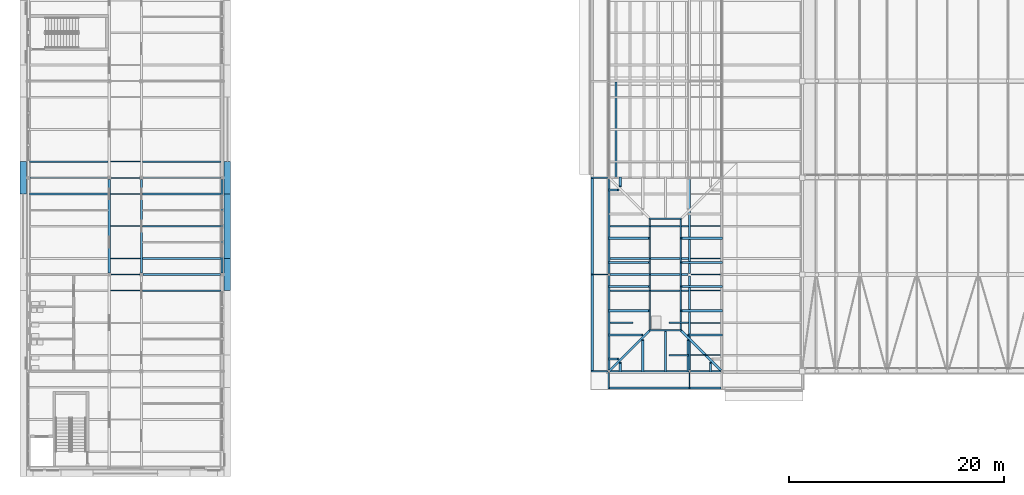
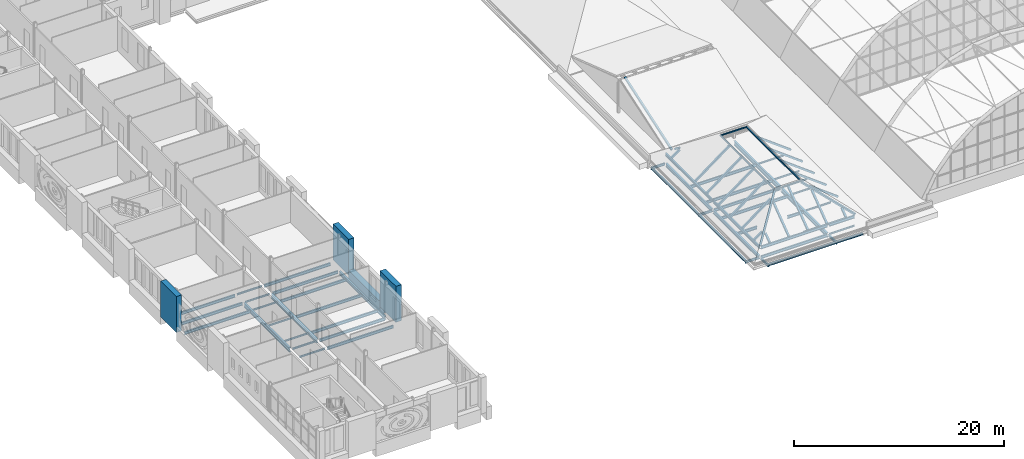
# One storey, part 17 of 121: 53 beams, 28 members.
"""IFC4 building model written with IfcOpenShell, lengths in metres."""

from ifc_helpers import new_model, si_unit, direction, frame, origin, origin_2d, place, context, subcontext, project, spatial, rectangle, hollow_rectangle, i_section, extrude, material, material_profile, profile_set, type_object, element, save


model = new_model("IFC4")

# Units and contexts
model_context = context("Model", 3, precision=1e-05, world=origin(), true_north=direction((0.0, 1.0)))
body_context = subcontext(model_context, "Body", "Model", "MODEL_VIEW")
ifc_project = project(units=[si_unit("LENGTHUNIT", "METRE"), si_unit("AREAUNIT", "SQUARE_METRE"), si_unit("VOLUMEUNIT", "CUBIC_METRE"), si_unit("PLANEANGLEUNIT", "RADIAN"), si_unit("MASSUNIT", "GRAM", prefix="KILO")], contexts=[model_context])

# Site, building, storey
site_placement = place(None, origin())
site = spatial("IfcSite", under=ifc_project, at=site_placement, CompositionType="ELEMENT")
building_placement = place(site_placement, origin())
building = spatial("IfcBuilding", under=site, at=building_placement, Name="Golden Quay Civic Hall", CompositionType="ELEMENT")
storey_placement = place(building_placement, frame((0.0, 0.0, 18.60009765625)))
storey = spatial("IfcBuildingStorey", under=building, at=storey_placement, Name="L04", CompositionType="ELEMENT", Elevation=18.60009765625)

# Beams
ifc_material_1 = material(Name="Steel S355", Category="steel")
ifc_material_profile_1 = material_profile(ifc_material_1, i_section(OverallWidth=0.199951171875, OverallDepth=0.18994140625, WebThickness=0.006591796875, FlangeThickness=0.010009765625, FilletRadius=0.01806640625, at=origin_2d()), Name="HEA 200")
ifc_profile_set_1 = profile_set([ifc_material_profile_1], Name="Steel S355")
beam_type_1 = type_object("IfcBeamType", Name="Eave edge beam HEA 200", PredefinedType="BEAM", material=ifc_profile_set_1)
for number, where, z_axis, x_axis, name in (
    (1, (52.449951171875, 0.0673828125, -0.34521484375), (0.0, 1.0, 0.0), (-1.0, 0.0, 0.0), "Eave edge beam HEA 200 L04 1"),
    (2, (52.449951171875, 9.0673828125, -0.34521484375), (0.0, 1.0, 0.0), (-1.0, 0.0, 0.0), "Eave edge beam HEA 200 L04 2"),
):
    element("IfcBeam", number, at=place(storey_placement, frame(where, z_axis=z_axis, x_axis=x_axis)), inside=storey, type_object=beam_type_1, Name=name, PredefinedType="BEAM", context=body_context, shape_type="SweptSolid", body=[
        extrude(i_section(OverallWidth=0.199951171875, OverallDepth=0.18994140625, WebThickness=0.006591796875, FlangeThickness=0.010009765625, FilletRadius=0.01806640625, at=origin_2d()), origin(), (0.0, 0.0, 1.0), 8.865234375),
    ])
beam_1_placement = place(storey_placement, frame((54.0673828125, -1.550048828125, -0.34521484375), z_axis=(1.0, 0.0, 0.0), x_axis=(0.0, 1.0, 0.0)))
element("IfcBeam", 3, at=beam_1_placement, inside=storey, type_object=beam_type_1, Name="Eave edge beam HEA 200 L04 10", PredefinedType="BEAM", context=body_context, shape_type="SweptSolid", body=[
    extrude(i_section(OverallWidth=0.199951171875, OverallDepth=0.18994140625, WebThickness=0.006591796875, FlangeThickness=0.010009765625, FilletRadius=0.01806640625, at=origin_2d()), origin(), (0.0, 0.0, 1.0), 7.365234375),
])
beam_2_placement = place(storey_placement, frame((61.5673828125, -1.550048828125, -0.34521484375), z_axis=(1.0, 0.0, 0.0), x_axis=(0.0, 1.0, 0.0)))
element("IfcBeam", 4, at=beam_2_placement, inside=storey, type_object=beam_type_1, Name="Eave edge beam HEA 200 L04 11", PredefinedType="BEAM", context=body_context, shape_type="SweptSolid", body=[
    extrude(i_section(OverallWidth=0.199951171875, OverallDepth=0.18994140625, WebThickness=0.006591796875, FlangeThickness=0.010009765625, FilletRadius=0.01806640625, at=origin_2d()), origin(), (0.0, 0.0, 1.0), 2.865234375),
])
ifc_material_2 = material(Name="Steel S355", Category="steel")
ifc_material_profile_2 = material_profile(ifc_material_2, i_section(OverallWidth=0.135009765625, OverallDepth=0.27001953125, WebThickness=0.006591796875, FlangeThickness=0.01025390625, FilletRadius=0.014892578125, at=origin_2d()), Name="IPE 270")
ifc_profile_set_2 = profile_set([ifc_material_profile_2], Name="Steel S355")
beam_type_2 = type_object("IfcBeamType", Name="Eave stub IPE 270", PredefinedType="BEAM", material=ifc_profile_set_2)
for number, where, z_axis, x_axis, name in (
    (5, (53.89990234375, 0.0, -0.385009765625), (-1.0, 0.0, 0.0), (0.0, -1.0, 0.0), "Eave stub IPE 270 L04 1"),
    (6, (53.89990234375, 9.0, -0.385009765625), (-1.0, 0.0, 0.0), (0.0, -1.0, 0.0), "Eave stub IPE 270 L04 2"),
    (7, (53.89990234375, 18.0, -0.385009765625), (-1.0, 0.0, 0.0), (0.0, -1.0, 0.0), "Eave stub IPE 270 L04 3"),
):
    element("IfcBeam", number, at=place(storey_placement, frame(where, z_axis=z_axis, x_axis=x_axis)), inside=storey, type_object=beam_type_2, Name=name, PredefinedType="BEAM", context=body_context, shape_type="SweptSolid", body=[
        extrude(i_section(OverallWidth=0.135009765625, OverallDepth=0.27001953125, WebThickness=0.006591796875, FlangeThickness=0.01025390625, FilletRadius=0.014892578125, at=origin_2d()), origin(), (0.0, 0.0, 1.0), 1.5498046875),
    ])
for number, where, z_axis, x_axis, name in (
    (8, (54.0, -0.094970703125, -0.385009765625), (0.0, -1.0, 0.0), (1.0, 0.0, 0.0), "Eave stub IPE 270 L04 12"),
    (9, (61.5, -0.094970703125, -0.385009765625), (0.0, -1.0, 0.0), (1.0, 0.0, 0.0), "Eave stub IPE 270 L04 13"),
):
    element("IfcBeam", number, at=place(storey_placement, frame(where, z_axis=z_axis, x_axis=x_axis)), inside=storey, type_object=beam_type_2, Name=name, PredefinedType="BEAM", context=body_context, shape_type="SweptSolid", body=[
        extrude(i_section(OverallWidth=0.135009765625, OverallDepth=0.27001953125, WebThickness=0.006591796875, FlangeThickness=0.01025390625, FilletRadius=0.014892578125, at=origin_2d()), origin(), (0.0, 0.0, 1.0), 1.554931640625),
    ])

# Members
ifc_material_3 = material(Name="Concrete C40/50", Category="concrete")
ifc_material_profile_3 = material_profile(ifc_material_3, rectangle(XDim=3.0, YDim=0.60009765625, at=origin_2d()), Name="RC 3000x600")
ifc_profile_set_3 = profile_set([ifc_material_profile_3], Name="Concrete C40/50")
member_type_1 = type_object("IfcMemberType", Name="Precast concrete facade pier 3000 x 600", PredefinedType="POST", material=ifc_profile_set_3)
for number, where, z_axis, x_axis, name in (
    (10, (-0.5, 18.0, 0.0), (0.0, 0.0, 1.0), (0.0, 1.0, 0.0), "Precast concrete facade pier 3000 x 600 L04 2"),
    (11, (18.5, 9.0, 0.0), (0.0, 0.0, 1.0), (0.0, 1.0, 0.0), "Precast concrete facade pier 3000 x 600 L04 12"),
    (12, (18.5, 18.0, 0.0), (0.0, 0.0, 1.0), (0.0, 1.0, 0.0), "Precast concrete facade pier 3000 x 600 L04 13"),
):
    element("IfcMember", number, at=place(storey_placement, frame(where, z_axis=z_axis, x_axis=x_axis)), inside=storey, type_object=member_type_1, Name=name, PredefinedType="POST", context=body_context, shape_type="SweptSolid", body=[
        extrude(rectangle(XDim=3.0, YDim=0.60009765625, at=origin_2d()), origin(), (0.0, 0.0, 1.0), 4.199951171875),
    ])

# Beams
ifc_material_4 = material(Name="Concrete C40/50", Category="concrete")
ifc_material_profile_4 = material_profile(ifc_material_4, rectangle(XDim=0.60009765625, YDim=1.5, at=origin_2d()), Name="RC 600x1500")
ifc_profile_set_4 = profile_set([ifc_material_profile_4], Name="Concrete C40/50")
beam_type_3 = type_object("IfcBeamType", Name="Precast concrete spandrel beam 600 x 1500", PredefinedType="SPANDREL", material=ifc_profile_set_4)
beam_3_placement = place(storey_placement, frame((18.5, 10.5, -0.150146484375), z_axis=(0.0, 1.0, 0.0), x_axis=(-1.0, 0.0, 0.0)))
element("IfcBeam", 13, at=beam_3_placement, inside=storey, type_object=beam_type_3, Name="Precast concrete spandrel beam 600 x 1500 L04 18", PredefinedType="SPANDREL", context=body_context, shape_type="SweptSolid", body=[
    extrude(rectangle(XDim=0.60009765625, YDim=1.5, at=origin_2d()), origin(), (0.0, 0.0, 1.0), 6.0),
])
ifc_material_5 = material(Name="Steel S355", Category="steel")
ifc_material_profile_5 = material_profile(ifc_material_5, i_section(OverallWidth=0.10009765625, OverallDepth=0.199951171875, WebThickness=0.005615234375, FlangeThickness=0.008544921875, FilletRadius=0.011962890625, at=origin_2d()), Name="IPE 200")
ifc_profile_set_5 = profile_set([ifc_material_profile_5], Name="Steel S355")
beam_type_4 = type_object("IfcBeamType", Name="Steel beam IPE 200", PredefinedType="BEAM", material=ifc_profile_set_5)
for number, where, z_axis, x_axis, name in (
    (14, (7.64990234375, 9.0, -0.300048828125), (1.0, 0.0, 0.0), (0.0, 1.0, 0.0), "Beam S9-7.5"),
    (15, (7.64990234375, 18.0, -0.300048828125), (1.0, 0.0, 0.0), (0.0, 1.0, 0.0), "Beam S18-7.5"),
):
    element("IfcBeam", number, at=place(storey_placement, frame(where, z_axis=z_axis, x_axis=x_axis)), inside=storey, type_object=beam_type_4, Name=name, PredefinedType="BEAM", context=body_context, shape_type="SweptSolid", body=[
        extrude(i_section(OverallWidth=0.10009765625, OverallDepth=0.199951171875, WebThickness=0.005615234375, FlangeThickness=0.008544921875, FilletRadius=0.011962890625, at=origin_2d()), origin(), (0.0, 0.0, 1.0), 2.7001953125),
    ])
beam_4_placement = place(storey_placement, frame((61.60009765625, 0.0, -0.35009765625), z_axis=(1.0, 0.0, 0.0), x_axis=(0.0, 1.0, 0.0)))
element("IfcBeam", 16, at=beam_4_placement, inside=storey, type_object=beam_type_4, Name="Beam S0-61.5", PredefinedType="BEAM", context=body_context, shape_type="SweptSolid", body=[
    extrude(i_section(OverallWidth=0.10009765625, OverallDepth=0.199951171875, WebThickness=0.005615234375, FlangeThickness=0.008544921875, FilletRadius=0.011962890625, at=origin_2d()), origin(), (0.0, 0.0, 1.0), 2.7998046875),
])
beam_5_placement = place(storey_placement, frame((61.6201171875, 9.0, -0.35009765625), z_axis=(1.0, 0.0, 0.0), x_axis=(0.0, 1.0, 0.0)))
element("IfcBeam", 17, at=beam_5_placement, inside=storey, type_object=beam_type_4, Name="Beam S9-61.5", PredefinedType="BEAM", context=body_context, shape_type="SweptSolid", body=[
    extrude(i_section(OverallWidth=0.10009765625, OverallDepth=0.199951171875, WebThickness=0.005615234375, FlangeThickness=0.008544921875, FilletRadius=0.011962890625, at=origin_2d()), origin(), (0.0, 0.0, 1.0), 2.759765625),
])
ifc_material_6 = material(Name="Steel S355", Category="steel")
ifc_material_profile_6 = material_profile(ifc_material_6, i_section(OverallWidth=0.159912109375, OverallDepth=0.330078125, WebThickness=0.007568359375, FlangeThickness=0.011474609375, FilletRadius=0.01806640625, at=origin_2d()), Name="IPE 330")
ifc_profile_set_6 = profile_set([ifc_material_profile_6], Name="Steel S355")
beam_type_5 = type_object("IfcBeamType", Name="Steel beam IPE 330", PredefinedType="BEAM", material=ifc_profile_set_6)
for number, where, z_axis, x_axis, name in (
    (18, (10.64990234375, 9.0, -0.364990234375), (1.0, 0.0, 0.0), (0.0, 1.0, 0.0), "Beam S9-10.5"),
    (19, (0.139892578125, 18.0, -0.364990234375), (1.0, 0.0, 0.0), (0.0, 1.0, 0.0), "Beam S18-0"),
    (20, (10.64990234375, 18.0, -0.364990234375), (1.0, 0.0, 0.0), (0.0, 1.0, 0.0), "Beam S18-10.5"),
):
    element("IfcBeam", number, at=place(storey_placement, frame(where, z_axis=z_axis, x_axis=x_axis)), inside=storey, type_object=beam_type_5, Name=name, PredefinedType="BEAM", context=body_context, shape_type="SweptSolid", body=[
        extrude(i_section(OverallWidth=0.159912109375, OverallDepth=0.330078125, WebThickness=0.007568359375, FlangeThickness=0.011474609375, FilletRadius=0.01806640625, at=origin_2d()), origin(), (0.0, 0.0, 1.0), 7.210205078125),
    ])
beam_6_placement = place(storey_placement, frame((54.10009765625, 0.0, -0.4150390625), z_axis=(1.0, 0.0, 0.0), x_axis=(0.0, 1.0, 0.0)))
element("IfcBeam", 21, at=beam_6_placement, inside=storey, type_object=beam_type_5, Name="Beam S0-54", PredefinedType="BEAM", context=body_context, shape_type="SweptSolid", body=[
    extrude(i_section(OverallWidth=0.159912109375, OverallDepth=0.330078125, WebThickness=0.007568359375, FlangeThickness=0.011474609375, FilletRadius=0.01806640625, at=origin_2d()), origin(), (0.0, 0.0, 1.0), 7.2998046875),
])
beam_7_placement = place(storey_placement, frame((54.10009765625, 9.0, -0.4150390625), z_axis=(1.0, 0.0, 0.0), x_axis=(0.0, 1.0, 0.0)))
element("IfcBeam", 22, at=beam_7_placement, inside=storey, type_object=beam_type_5, Name="Beam S9-54", PredefinedType="BEAM", context=body_context, shape_type="SweptSolid", body=[
    extrude(i_section(OverallWidth=0.159912109375, OverallDepth=0.330078125, WebThickness=0.007568359375, FlangeThickness=0.011474609375, FilletRadius=0.01806640625, at=origin_2d()), origin(), (0.0, 0.0, 1.0), 7.27978515625),
])
ifc_material_7 = material(Name="Steel S355", Category="steel")
ifc_material_profile_7 = material_profile(ifc_material_7, i_section(OverallWidth=0.179931640625, OverallDepth=0.39990234375, WebThickness=0.008544921875, FlangeThickness=0.013427734375, FilletRadius=0.02099609375, at=origin_2d()), Name="IPE 400")
ifc_profile_set_7 = profile_set([ifc_material_profile_7], Name="Steel S355")
beam_type_6 = type_object("IfcBeamType", Name="Steel beam IPE 400", PredefinedType="BEAM", material=ifc_profile_set_7)
beam_8_placement = place(storey_placement, frame((18.0, 9.135009765625, -0.400146484375), z_axis=(0.0, 1.0, 0.0), x_axis=(-1.0, 0.0, 0.0)))
element("IfcBeam", 23, at=beam_8_placement, inside=storey, type_object=beam_type_6, Name="Beam L18-9", PredefinedType="BEAM", context=body_context, shape_type="SweptSolid", body=[
    extrude(i_section(OverallWidth=0.179931640625, OverallDepth=0.39990234375, WebThickness=0.008544921875, FlangeThickness=0.013427734375, FilletRadius=0.02099609375, at=origin_2d()), origin(), (0.0, 0.0, 1.0), 8.72998046875),
])
for number, where, z_axis, x_axis, name in (
    (24, (54.0, 0.094970703125, -0.4501953125), (0.0, 1.0, 0.0), (-1.0, 0.0, 0.0), "Beam L54-0"),
    (25, (54.0, 9.094970703125, -0.4501953125), (0.0, 1.0, 0.0), (-1.0, 0.0, 0.0), "Beam L54-9"),
):
    element("IfcBeam", number, at=place(storey_placement, frame(where, z_axis=z_axis, x_axis=x_axis)), inside=storey, type_object=beam_type_6, Name=name, PredefinedType="BEAM", context=body_context, shape_type="SweptSolid", body=[
        extrude(i_section(OverallWidth=0.179931640625, OverallDepth=0.39990234375, WebThickness=0.008544921875, FlangeThickness=0.013427734375, FilletRadius=0.02099609375, at=origin_2d()), origin(), (0.0, 0.0, 1.0), 8.81005859375),
    ])
ifc_material_8 = material(Name="Steel S355", Category="steel")
ifc_material_profile_8 = material_profile(ifc_material_8, i_section(OverallWidth=0.199951171875, OverallDepth=0.5, WebThickness=0.01025390625, FlangeThickness=0.01611328125, FilletRadius=0.02099609375, at=origin_2d()), Name="IPE 500")
ifc_profile_set_8 = profile_set([ifc_material_profile_8], Name="Steel S355")
beam_type_7 = type_object("IfcBeamType", Name="Steel beam IPE 500", PredefinedType="BEAM", material=ifc_profile_set_8)
for number, where, z_axis, x_axis, name in (
    (26, (7.5, 9.14501953125, -0.4501953125), (0.0, 1.0, 0.0), (-1.0, 0.0, 0.0), "Beam L7.5-9"),
    (27, (10.5, 9.14501953125, -0.4501953125), (0.0, 1.0, 0.0), (-1.0, 0.0, 0.0), "Beam L10.5-9"),
):
    element("IfcBeam", number, at=place(storey_placement, frame(where, z_axis=z_axis, x_axis=x_axis)), inside=storey, type_object=beam_type_7, Name=name, PredefinedType="BEAM", context=body_context, shape_type="SweptSolid", body=[
        extrude(i_section(OverallWidth=0.199951171875, OverallDepth=0.5, WebThickness=0.01025390625, FlangeThickness=0.01611328125, FilletRadius=0.02099609375, at=origin_2d()), origin(), (0.0, 0.0, 1.0), 8.7099609375),
    ])
beam_9_placement = place(storey_placement, frame((61.5, 0.094970703125, -0.5), z_axis=(0.0, 1.0, 0.0), x_axis=(-1.0, 0.0, 0.0)))
element("IfcBeam", 28, at=beam_9_placement, inside=storey, type_object=beam_type_7, Name="Beam L61.5-0", PredefinedType="BEAM", context=body_context, shape_type="SweptSolid", body=[
    extrude(i_section(OverallWidth=0.199951171875, OverallDepth=0.5, WebThickness=0.01025390625, FlangeThickness=0.01611328125, FilletRadius=0.02099609375, at=origin_2d()), origin(), (0.0, 0.0, 1.0), 8.7900390625),
])
beam_10_placement = place(storey_placement, frame((61.5, 9.114990234375, -0.5), z_axis=(0.0, 1.0, 0.0), x_axis=(-1.0, 0.0, 0.0)))
element("IfcBeam", 29, at=beam_10_placement, inside=storey, type_object=beam_type_7, Name="Beam L61.5-9", PredefinedType="BEAM", context=body_context, shape_type="SweptSolid", body=[
    extrude(i_section(OverallWidth=0.199951171875, OverallDepth=0.5, WebThickness=0.01025390625, FlangeThickness=0.01611328125, FilletRadius=0.02099609375, at=origin_2d()), origin(), (0.0, 0.0, 1.0), 8.77001953125),
])

# Members
ifc_material_9 = material(Name="Steel S355", Category="steel")
ifc_material_profile_9 = material_profile(ifc_material_9, hollow_rectangle(XDim=0.199951171875, YDim=0.199951171875, WallThickness=0.010009765625, at=origin_2d()), Name="SHS 200x200x10")
ifc_profile_set_9 = profile_set([ifc_material_profile_9], Name="Steel S355")
member_type_2 = type_object("IfcMemberType", Name="Steel jack rafter SHS 200x200x10", PredefinedType="RAFTER", material=ifc_profile_set_9)
member_1_placement = place(storey_placement, frame((55.050048828125, 0.0, 0.96484375), z_axis=(0.0, 0.799970705032, 0.600039057971), x_axis=(-1.0, 0.0, 0.0)))
element("IfcMember", 30, at=member_1_placement, inside=storey, type_object=member_type_2, Name="Jack rafter WM-S south 1", PredefinedType="RAFTER", context=body_context, shape_type="SweptSolid", body=[
    extrude(hollow_rectangle(XDim=0.199951171875, YDim=0.199951171875, WallThickness=0.010009765625, at=origin_2d()), origin(), (0.0, 0.0, 1.0), 1.0),
])
member_2_placement = place(storey_placement, frame((57.14990234375, 0.0, 0.96484375), z_axis=(0.0, 0.799983835699, 0.600021551797), x_axis=(-1.0, 0.0, 0.0)))
element("IfcMember", 31, at=member_2_placement, inside=storey, type_object=member_type_2, Name="Jack rafter WM-S south 2", PredefinedType="RAFTER", context=body_context, shape_type="SweptSolid", body=[
    extrude(hollow_rectangle(XDim=0.199951171875, YDim=0.199951171875, WallThickness=0.010009765625, at=origin_2d()), origin(), (0.0, 0.0, 1.0), 3.625),
])
member_3_placement = place(storey_placement, frame((59.25, 0.0, 0.96484375), z_axis=(0.0, 0.8, 0.6), x_axis=(-1.0, 0.0, 0.0)))
element("IfcMember", 32, at=member_3_placement, inside=storey, type_object=member_type_2, Name="Jack rafter WM-S south 3", PredefinedType="RAFTER", context=body_context, shape_type="SweptSolid", body=[
    extrude(hollow_rectangle(XDim=0.199951171875, YDim=0.199951171875, WallThickness=0.010009765625, at=origin_2d()), origin(), (0.0, 0.0, 1.0), 4.6875),
])
member_4_placement = place(storey_placement, frame((61.35009765625, 0.0, 0.96484375), z_axis=(0.0, 0.799983835699, 0.600021551797), x_axis=(-1.0, 0.0, 0.0)))
element("IfcMember", 33, at=member_4_placement, inside=storey, type_object=member_type_2, Name="Jack rafter WM-S south 4", PredefinedType="RAFTER", context=body_context, shape_type="SweptSolid", body=[
    extrude(hollow_rectangle(XDim=0.199951171875, YDim=0.199951171875, WallThickness=0.010009765625, at=origin_2d()), origin(), (0.0, 0.0, 1.0), 3.625),
])
for number, where, z_axis, x_axis, name in (
    (34, (63.449951171875, 0.0, 0.96484375), (0.0, 0.799970705032, 0.600039057971), (-1.0, 0.0, 0.0), "Jack rafter WM-S south 5"),
    (35, (55.050048828125, 18.0, 0.96484375), (0.0, -0.799970705032, 0.600039057971), (1.0, 0.0, 0.0), "Jack rafter WM-S north 1"),
):
    element("IfcMember", number, at=place(storey_placement, frame(where, z_axis=z_axis, x_axis=x_axis)), inside=storey, type_object=member_type_2, Name=name, PredefinedType="RAFTER", context=body_context, shape_type="SweptSolid", body=[
        extrude(hollow_rectangle(XDim=0.199951171875, YDim=0.199951171875, WallThickness=0.010009765625, at=origin_2d()), origin(), (0.0, 0.0, 1.0), 1.0),
    ])
member_5_placement = place(storey_placement, frame((54.0, 1.125, 0.96484375), z_axis=(0.8, 0.0, 0.6), x_axis=(0.0, 1.0, 0.0)))
element("IfcMember", 36, at=member_5_placement, inside=storey, type_object=member_type_2, Name="Jack rafter WM-S west 1", PredefinedType="RAFTER", context=body_context, shape_type="SweptSolid", body=[
    extrude(hollow_rectangle(XDim=0.199951171875, YDim=0.199951171875, WallThickness=0.010009765625, at=origin_2d()), origin(), (0.0, 0.0, 1.0), 1.09375),
])
member_6_placement = place(storey_placement, frame((54.0, 3.375, 0.96484375), z_axis=(0.8, 0.0, 0.6), x_axis=(0.0, 1.0, 0.0)))
element("IfcMember", 37, at=member_6_placement, inside=storey, type_object=member_type_2, Name="Jack rafter WM-S west 2", PredefinedType="RAFTER", context=body_context, shape_type="SweptSolid", body=[
    extrude(hollow_rectangle(XDim=0.199951171875, YDim=0.199951171875, WallThickness=0.010009765625, at=origin_2d()), origin(), (0.0, 0.0, 1.0), 3.90625),
])
for number, where, z_axis, x_axis, name in (
    (38, (54.0, 5.625, 0.96484375), (0.8, 0.0, 0.6), (0.0, 1.0, 0.0), "Jack rafter WM-S west 3"),
    (39, (54.0, 7.875, 0.96484375), (0.8, 0.0, 0.6), (0.0, 1.0, 0.0), "Jack rafter WM-S west 4"),
    (40, (54.0, 10.125, 0.96484375), (0.8, 0.0, 0.6), (0.0, 1.0, 0.0), "Jack rafter WM-S west 5"),
    (41, (54.0, 12.375, 0.96484375), (0.8, 0.0, 0.6), (0.0, 1.0, 0.0), "Jack rafter WM-S west 6"),
):
    element("IfcMember", number, at=place(storey_placement, frame(where, z_axis=z_axis, x_axis=x_axis)), inside=storey, type_object=member_type_2, Name=name, PredefinedType="RAFTER", context=body_context, shape_type="SweptSolid", body=[
        extrude(hollow_rectangle(XDim=0.199951171875, YDim=0.199951171875, WallThickness=0.010009765625, at=origin_2d()), origin(), (0.0, 0.0, 1.0), 4.6875),
    ])
member_7_placement = place(storey_placement, frame((54.0, 16.875, 0.96484375), z_axis=(0.8, 0.0, 0.6), x_axis=(0.0, 1.0, 0.0)))
element("IfcMember", 42, at=member_7_placement, inside=storey, type_object=member_type_2, Name="Jack rafter WM-S west 8", PredefinedType="RAFTER", context=body_context, shape_type="SweptSolid", body=[
    extrude(hollow_rectangle(XDim=0.199951171875, YDim=0.199951171875, WallThickness=0.010009765625, at=origin_2d()), origin(), (0.0, 0.0, 1.0), 1.09375),
])
member_8_placement = place(storey_placement, frame((64.5, 3.375, 0.96484375), z_axis=(-0.8, 0.0, 0.6), x_axis=(0.0, -1.0, 0.0)))
element("IfcMember", 43, at=member_8_placement, inside=storey, type_object=member_type_2, Name="Jack rafter WM-S east 2", PredefinedType="RAFTER", context=body_context, shape_type="SweptSolid", body=[
    extrude(hollow_rectangle(XDim=0.199951171875, YDim=0.199951171875, WallThickness=0.010009765625, at=origin_2d()), origin(), (0.0, 0.0, 1.0), 3.90625),
])
for number, where, z_axis, x_axis, name in (
    (44, (64.5, 5.625, 0.96484375), (-0.8, 0.0, 0.6), (0.0, -1.0, 0.0), "Jack rafter WM-S east 3"),
    (45, (64.5, 7.875, 0.96484375), (-0.8, 0.0, 0.6), (0.0, -1.0, 0.0), "Jack rafter WM-S east 4"),
    (46, (64.5, 10.125, 0.96484375), (-0.8, 0.0, 0.6), (0.0, -1.0, 0.0), "Jack rafter WM-S east 5"),
    (47, (64.5, 12.375, 0.96484375), (-0.8, 0.0, 0.6), (0.0, -1.0, 0.0), "Jack rafter WM-S east 6"),
):
    element("IfcMember", number, at=place(storey_placement, frame(where, z_axis=z_axis, x_axis=x_axis)), inside=storey, type_object=member_type_2, Name=name, PredefinedType="RAFTER", context=body_context, shape_type="SweptSolid", body=[
        extrude(hollow_rectangle(XDim=0.199951171875, YDim=0.199951171875, WallThickness=0.010009765625, at=origin_2d()), origin(), (0.0, 0.0, 1.0), 4.6875),
    ])
member_9_placement = place(storey_placement, frame((54.65625, 18.0, 0.990478515625), z_axis=(0.0, 0.947254558797, 0.320482138095), x_axis=(-1.0, 0.0, 0.0)))
element("IfcMember", 48, at=member_9_placement, inside=storey, type_object=member_type_2, Name="Gable rafter south 1", PredefinedType="RAFTER", context=body_context, shape_type="SweptSolid", body=[
    extrude(hollow_rectangle(XDim=0.199951171875, YDim=0.199951171875, WallThickness=0.010009765625, at=origin_2d()), origin(), (0.0, 0.0, 1.0), 9.42724609375),
])

# Beams
ifc_material_10 = material(Name="Steel S355", Category="steel")
ifc_material_profile_10 = material_profile(ifc_material_10, i_section(OverallWidth=0.10009765625, OverallDepth=0.199951171875, WebThickness=0.005615234375, FlangeThickness=0.008544921875, FilletRadius=0.011962890625, at=origin_2d()), Name="IPE 200")
ifc_profile_set_10 = profile_set([ifc_material_profile_10], Name="Steel S355")
beam_type_8 = type_object("IfcBeamType", Name="Steel joist IPE 200", PredefinedType="JOIST", material=ifc_profile_set_10)
for number, where, z_axis, x_axis, name in (
    (49, (7.60009765625, 7.5, -0.300048828125), (1.0, 0.0, 0.0), (0.0, 1.0, 0.0), "Joist J7.5-7.5"),
    (50, (7.60009765625, 10.5, -0.300048828125), (1.0, 0.0, 0.0), (0.0, 1.0, 0.0), "Joist J10.5-7.5"),
    (51, (7.60009765625, 13.5, -0.300048828125), (1.0, 0.0, 0.0), (0.0, 1.0, 0.0), "Joist J13.5-7.5"),
    (52, (7.60009765625, 16.5, -0.300048828125), (1.0, 0.0, 0.0), (0.0, 1.0, 0.0), "Joist J16.5-7.5"),
    (53, (7.60009765625, 19.5, -0.300048828125), (1.0, 0.0, 0.0), (0.0, 1.0, 0.0), "Joist J19.5-7.5"),
    (54, (61.60009765625, 1.5, -0.35009765625), (1.0, 0.0, 0.0), (0.0, 1.0, 0.0), "Joist J1.5-61.5"),
    (55, (61.60009765625, 4.5, -0.35009765625), (1.0, 0.0, 0.0), (0.0, 1.0, 0.0), "Joist J4.5-61.5"),
    (56, (61.60009765625, 7.5, -0.35009765625), (1.0, 0.0, 0.0), (0.0, 1.0, 0.0), "Joist J7.5-61.5"),
    (57, (61.60009765625, 10.5, -0.35009765625), (1.0, 0.0, 0.0), (0.0, 1.0, 0.0), "Joist J10.5-61.5"),
    (58, (61.60009765625, 13.5, -0.35009765625), (1.0, 0.0, 0.0), (0.0, 1.0, 0.0), "Joist J13.5-61.5"),
):
    element("IfcBeam", number, at=place(storey_placement, frame(where, z_axis=z_axis, x_axis=x_axis)), inside=storey, type_object=beam_type_8, Name=name, PredefinedType="JOIST", context=body_context, shape_type="SweptSolid", body=[
        extrude(i_section(OverallWidth=0.10009765625, OverallDepth=0.199951171875, WebThickness=0.005615234375, FlangeThickness=0.008544921875, FilletRadius=0.011962890625, at=origin_2d()), origin(), (0.0, 0.0, 1.0), 2.7998046875),
    ])
ifc_material_11 = material(Name="Steel S355", Category="steel")
ifc_material_profile_11 = material_profile(ifc_material_11, i_section(OverallWidth=0.159912109375, OverallDepth=0.330078125, WebThickness=0.007568359375, FlangeThickness=0.011474609375, FilletRadius=0.01806640625, at=origin_2d()), Name="IPE 330")
ifc_profile_set_11 = profile_set([ifc_material_profile_11], Name="Steel S355")
beam_type_9 = type_object("IfcBeamType", Name="Steel joist IPE 330", PredefinedType="JOIST", material=ifc_profile_set_11)
for number, where, z_axis, x_axis, name in (
    (59, (10.60009765625, 7.5, -0.364990234375), (1.0, 0.0, 0.0), (0.0, 1.0, 0.0), "Joist J7.5-10.5"),
    (60, (10.60009765625, 10.5, -0.364990234375), (1.0, 0.0, 0.0), (0.0, 1.0, 0.0), "Joist J10.5-10.5"),
    (61, (10.60009765625, 13.5, -0.364990234375), (1.0, 0.0, 0.0), (0.0, 1.0, 0.0), "Joist J13.5-10.5"),
    (62, (0.090087890625, 16.5, -0.364990234375), (1.0, 0.0, 0.0), (0.0, 1.0, 0.0), "Joist J16.5-0"),
    (63, (10.60009765625, 16.5, -0.364990234375), (1.0, 0.0, 0.0), (0.0, 1.0, 0.0), "Joist J16.5-10.5"),
    (64, (0.090087890625, 19.5, -0.364990234375), (1.0, 0.0, 0.0), (0.0, 1.0, 0.0), "Joist J19.5-0"),
    (65, (10.60009765625, 19.5, -0.364990234375), (1.0, 0.0, 0.0), (0.0, 1.0, 0.0), "Joist J19.5-10.5"),
):
    element("IfcBeam", number, at=place(storey_placement, frame(where, z_axis=z_axis, x_axis=x_axis)), inside=storey, type_object=beam_type_9, Name=name, PredefinedType="JOIST", context=body_context, shape_type="SweptSolid", body=[
        extrude(i_section(OverallWidth=0.159912109375, OverallDepth=0.330078125, WebThickness=0.007568359375, FlangeThickness=0.011474609375, FilletRadius=0.01806640625, at=origin_2d()), origin(), (0.0, 0.0, 1.0), 7.309814453125),
    ])
beam_11_placement = place(storey_placement, frame((59.60009765625, 1.5, -0.4150390625), z_axis=(1.0, 0.0, 0.0), x_axis=(0.0, 1.0, 0.0)))
element("IfcBeam", 66, at=beam_11_placement, inside=storey, type_object=beam_type_9, Name="Joist J1.5-54-1", PredefinedType="JOIST", context=body_context, shape_type="SweptSolid", body=[
    extrude(i_section(OverallWidth=0.159912109375, OverallDepth=0.330078125, WebThickness=0.007568359375, FlangeThickness=0.011474609375, FilletRadius=0.01806640625, at=origin_2d()), origin(), (0.0, 0.0, 1.0), 1.7998046875),
])
beam_12_placement = place(storey_placement, frame((54.090087890625, 4.5, -0.4150390625), z_axis=(1.0, 0.0, 0.0), x_axis=(0.0, 1.0, 0.0)))
element("IfcBeam", 67, at=beam_12_placement, inside=storey, type_object=beam_type_9, Name="Joist J4.5-54-0", PredefinedType="JOIST", context=body_context, shape_type="SweptSolid", body=[
    extrude(i_section(OverallWidth=0.159912109375, OverallDepth=0.330078125, WebThickness=0.007568359375, FlangeThickness=0.011474609375, FilletRadius=0.01806640625, at=origin_2d()), origin(), (0.0, 0.0, 1.0), 2.159912109375),
])
beam_13_placement = place(storey_placement, frame((59.60009765625, 4.5, -0.4150390625), z_axis=(1.0, 0.0, 0.0), x_axis=(0.0, 1.0, 0.0)))
element("IfcBeam", 68, at=beam_13_placement, inside=storey, type_object=beam_type_9, Name="Joist J4.5-54-1", PredefinedType="JOIST", context=body_context, shape_type="SweptSolid", body=[
    extrude(i_section(OverallWidth=0.159912109375, OverallDepth=0.330078125, WebThickness=0.007568359375, FlangeThickness=0.011474609375, FilletRadius=0.01806640625, at=origin_2d()), origin(), (0.0, 0.0, 1.0), 1.7998046875),
])
for number, where, z_axis, x_axis, name in (
    (69, (54.090087890625, 7.5, -0.4150390625), (1.0, 0.0, 0.0), (0.0, 1.0, 0.0), "Joist J7.5-54"),
    (70, (54.090087890625, 10.5, -0.4150390625), (1.0, 0.0, 0.0), (0.0, 1.0, 0.0), "Joist J10.5-54"),
    (71, (54.090087890625, 13.5, -0.4150390625), (1.0, 0.0, 0.0), (0.0, 1.0, 0.0), "Joist J13.5-54"),
):
    element("IfcBeam", number, at=place(storey_placement, frame(where, z_axis=z_axis, x_axis=x_axis)), inside=storey, type_object=beam_type_9, Name=name, PredefinedType="JOIST", context=body_context, shape_type="SweptSolid", body=[
        extrude(i_section(OverallWidth=0.159912109375, OverallDepth=0.330078125, WebThickness=0.007568359375, FlangeThickness=0.011474609375, FilletRadius=0.01806640625, at=origin_2d()), origin(), (0.0, 0.0, 1.0), 7.309814453125),
    ])

# Members
ifc_material_12 = material(Name="Steel S355", Category="steel")
ifc_material_profile_12 = material_profile(ifc_material_12, hollow_rectangle(XDim=0.199951171875, YDim=0.199951171875, WallThickness=0.010009765625, at=origin_2d()), Name="SHS 200x200x10")
ifc_profile_set_12 = profile_set([ifc_material_profile_12], Name="Steel S355")
member_type_3 = type_object("IfcMemberType", Name="Steel pavilion hip rafter SHS 200x200x10", PredefinedType="RAFTER", material=ifc_profile_set_12)
for number, where, z_axis, x_axis, name in (
    (72, (54.0, 0.0, 0.92822265625), (0.625782928891, 0.625782928891, 0.465608689584), (-0.707106781187, 0.707106781187, 0.0), "Hip rafter WM-S south-west"),
    (73, (64.5, 0.0, 0.92822265625), (-0.625782928891, 0.625782928891, 0.465608689584), (-0.707106781187, -0.707106781187, 0.0), "Hip rafter WM-S south-east"),
):
    element("IfcMember", number, at=place(storey_placement, frame(where, z_axis=z_axis, x_axis=x_axis)), inside=storey, type_object=member_type_3, Name=name, PredefinedType="RAFTER", context=body_context, shape_type="SweptSolid", body=[
        extrude(hollow_rectangle(XDim=0.199951171875, YDim=0.199951171875, WallThickness=0.010009765625, at=origin_2d()), origin(), (0.0, 0.0, 1.0), 6.04052734375),
    ])
ifc_material_13 = material(Name="Steel S355", Category="steel")
ifc_material_profile_13 = material_profile(ifc_material_13, hollow_rectangle(XDim=0.1201171875, YDim=0.1201171875, WallThickness=0.008056640625, at=origin_2d()), Name="SHS 120x120x8")
ifc_profile_set_13 = profile_set([ifc_material_profile_13], Name="Steel S355")
member_type_4 = type_object("IfcMemberType", Name="Steel roof purlin SHS 120x120x8", PredefinedType="PURLIN", material=ifc_profile_set_13)
for number, where, z_axis, x_axis, name in (
    (74, (57.75, 3.81494140625, 3.84228515625), (1.0, 0.0, 0.0), (0.0, 1.0, 0.0), "Cap purlin WM-S south"),
    (75, (57.75, 14.18505859375, 3.84228515625), (1.0, 0.0, 0.0), (0.0, 1.0, 0.0), "Cap purlin WM-S north"),
):
    element("IfcMember", number, at=place(storey_placement, frame(where, z_axis=z_axis, x_axis=x_axis)), inside=storey, type_object=member_type_4, Name=name, PredefinedType="PURLIN", context=body_context, shape_type="SweptSolid", body=[
        extrude(hollow_rectangle(XDim=0.1201171875, YDim=0.1201171875, WallThickness=0.008056640625, at=origin_2d()), origin(), (0.0, 0.0, 1.0), 3.0),
    ])
for number, where, z_axis, x_axis, name in (
    (76, (57.81494140625, 3.8798828125, 3.84228515625), (0.0, 1.0, 0.0), (-1.0, 0.0, 0.0), "Cap purlin WM-S west"),
    (77, (60.68505859375, 3.8798828125, 3.84228515625), (0.0, 1.0, 0.0), (-1.0, 0.0, 0.0), "Cap purlin WM-S east"),
):
    element("IfcMember", number, at=place(storey_placement, frame(where, z_axis=z_axis, x_axis=x_axis)), inside=storey, type_object=member_type_4, Name=name, PredefinedType="PURLIN", context=body_context, shape_type="SweptSolid", body=[
        extrude(hollow_rectangle(XDim=0.1201171875, YDim=0.1201171875, WallThickness=0.008056640625, at=origin_2d()), origin(), (0.0, 0.0, 1.0), 10.240234375),
    ])

# Beams
ifc_material_14 = material(Name="Steel S355", Category="steel")
ifc_material_profile_14 = material_profile(ifc_material_14, i_section(OverallWidth=0.159912109375, OverallDepth=0.330078125, WebThickness=0.007568359375, FlangeThickness=0.011474609375, FilletRadius=0.01806640625, at=origin_2d()), Name="IPE 330")
ifc_profile_set_14 = profile_set([ifc_material_profile_14], Name="Steel S355")
beam_type_10 = type_object("IfcBeamType", Name="Steel wall plate beam IPE 330", PredefinedType="BEAM", material=ifc_profile_set_14)
beam_14_placement = place(storey_placement, frame((54.080078125, 0.0, 0.719970703125), z_axis=(1.0, 0.0, 0.0), x_axis=(0.0, 1.0, 0.0)))
element("IfcBeam", 78, at=beam_14_placement, inside=storey, type_object=beam_type_10, Name="Wall plate beam WM-S S1", PredefinedType="BEAM", context=body_context, shape_type="SweptSolid", body=[
    extrude(i_section(OverallWidth=0.159912109375, OverallDepth=0.330078125, WebThickness=0.007568359375, FlangeThickness=0.011474609375, FilletRadius=0.01806640625, at=origin_2d()), origin(), (0.0, 0.0, 1.0), 7.31982421875),
])
beam_15_placement = place(storey_placement, frame((61.60009765625, 0.0, 0.719970703125), z_axis=(1.0, 0.0, 0.0), x_axis=(0.0, 1.0, 0.0)))
element("IfcBeam", 79, at=beam_15_placement, inside=storey, type_object=beam_type_10, Name="Wall plate beam WM-S S2", PredefinedType="BEAM", context=body_context, shape_type="SweptSolid", body=[
    extrude(i_section(OverallWidth=0.159912109375, OverallDepth=0.330078125, WebThickness=0.007568359375, FlangeThickness=0.011474609375, FilletRadius=0.01806640625, at=origin_2d()), origin(), (0.0, 0.0, 1.0), 2.81982421875),
])
for number, where, z_axis, x_axis, name in (
    (80, (54.0, 0.0, 0.719970703125), (0.0, 1.0, 0.0), (-1.0, 0.0, 0.0), "Wall plate beam WM-S W1"),
    (81, (54.0, 9.094970703125, 0.719970703125), (0.0, 1.0, 0.0), (-1.0, 0.0, 0.0), "Wall plate beam WM-S W2"),
):
    element("IfcBeam", number, at=place(storey_placement, frame(where, z_axis=z_axis, x_axis=x_axis)), inside=storey, type_object=beam_type_10, Name=name, PredefinedType="BEAM", context=body_context, shape_type="SweptSolid", body=[
        extrude(i_section(OverallWidth=0.159912109375, OverallDepth=0.330078125, WebThickness=0.007568359375, FlangeThickness=0.011474609375, FilletRadius=0.01806640625, at=origin_2d()), origin(), (0.0, 0.0, 1.0), 8.905029296875),
    ])

save(model, "model.ifc")
